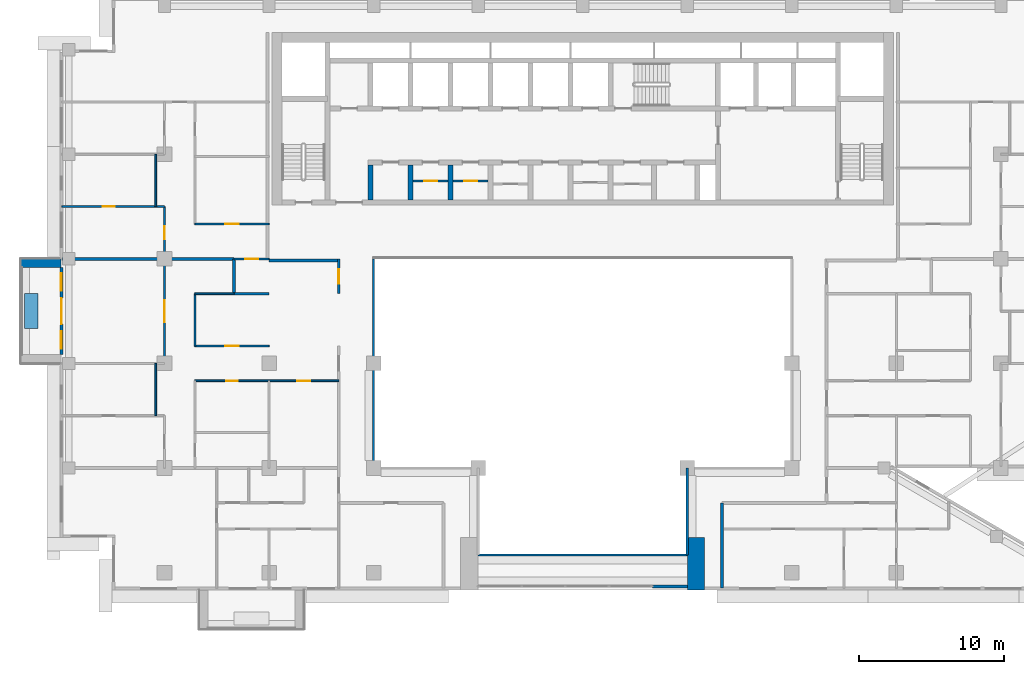
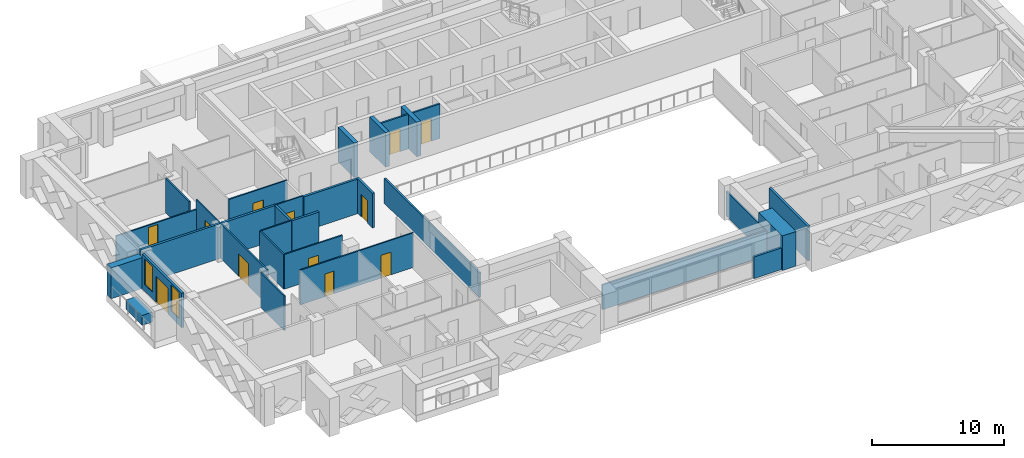
# One storey, part 7 of 20: 29 walls, 12 doors, 2 windows, 14 openings.
"""IFC4 building model written with IfcOpenShell, lengths in metres."""

import ifcopenshell
import ifcopenshell.guid

model = None  # the IFC model being written
_history = None  # IfcOwnerHistory: only IFC2X3 demands one
_inside = {}  # id of a spatial element -> (the spatial element, [elements in it])
_under = {}  # id of a project, library or spatial element -> (it, [spatial elements below it])
_declared = {}  # id of a project -> (the project, [libraries it declares])
_typed = {}  # id of a type object -> (the type object, [elements of that type])
_made_of = {}  # id of a material, layer set ... -> (it, [elements and type objects made of it])


def new_model(schema):
    """Start an empty IFC model of exactly this schema.

    Asked for "IFC4X3", IfcOpenShell would pick the latest addendum, in which some entities
    have other attributes; the version numbers below select the first issue.
    IFC2X3 requires an IfcOwnerHistory on every rooted entity: one is made here for all.
    """
    global model, _history
    if schema == "IFC4X3":
        model = ifcopenshell.file(schema_version=(4, 3, 0, 0))
    else:
        model = ifcopenshell.file(schema=schema)
    _inside.clear()
    _under.clear()
    _declared.clear()
    _typed.clear()
    _made_of.clear()
    _history = None
    if model.schema == "IFC2X3":
        org = make("IfcOrganization", Name="unknown")
        user = make(
            "IfcPersonAndOrganization",
            ThePerson=make("IfcPerson", FamilyName="unknown"),
            TheOrganization=org,
        )
        app = make(
            "IfcApplication",
            ApplicationDeveloper=org,
            Version="unknown",
            ApplicationFullName="unknown",
            ApplicationIdentifier="unknown",
        )
        _history = make(
            "IfcOwnerHistory",
            OwningUser=user,
            OwningApplication=app,
            ChangeAction="ADDED",
            CreationDate=0,
        )
    return model


def make(cls, **values):
    """One entity of the class cls with the attributes given. An attribute that is None is left unset."""
    return model.create_entity(
        cls, **{name: value for name, value in values.items() if value is not None}
    )


def rooted(cls, **values):
    """An entity with a GlobalId (a new one), such as an element, a storey or a relation."""
    return make(cls, GlobalId=ifcopenshell.guid.new(), OwnerHistory=_history, **values)


def si_unit(unit_type, name, prefix=None):
    """IfcSIUnit, for example si_unit("LENGTHUNIT", "METRE", prefix="MILLI")."""
    return make("IfcSIUnit", UnitType=unit_type, Prefix=prefix, Name=name)


def assignment(units):
    """IfcUnitAssignment: the units of a project."""
    return None if units is None else make("IfcUnitAssignment", Units=units)


def point(xyz):
    """IfcCartesianPoint."""
    return None if xyz is None else make("IfcCartesianPoint", Coordinates=xyz)


def direction(xyz):
    """IfcDirection."""
    return None if xyz is None else make("IfcDirection", DirectionRatios=xyz)


def frame(location, z_axis=None, x_axis=None):
    """IfcAxis2Placement3D, a coordinate frame: its origin and axes. An axis left out is left unset."""
    return make(
        "IfcAxis2Placement3D",
        Location=point(location),
        Axis=direction(z_axis),
        RefDirection=direction(x_axis),
    )


def frame_2d(location, x_axis=None):
    """IfcAxis2Placement2D, a coordinate frame in the plane: its origin and x axis."""
    return make(
        "IfcAxis2Placement2D", Location=point(location), RefDirection=direction(x_axis)
    )


def origin():
    """The frame at (0, 0, 0) with its axes left unset."""
    return frame((0.0, 0.0, 0.0))


def place(relative_to, where):
    """IfcLocalPlacement: puts the frame where relative to a parent placement (None: the world)."""
    return make(
        "IfcLocalPlacement", PlacementRelTo=relative_to, RelativePlacement=where
    )


def context(
    kind, dimensions, precision=None, world=None, true_north=None, identifier=None
):
    """IfcGeometricRepresentationContext, for example the 3D "Model" context."""
    return make(
        "IfcGeometricRepresentationContext",
        ContextIdentifier=identifier,
        ContextType=kind,
        CoordinateSpaceDimension=dimensions,
        Precision=precision,
        WorldCoordinateSystem=world,
        TrueNorth=true_north,
    )


def subcontext(parent, identifier, kind, view, scale=None):
    """IfcGeometricRepresentationSubContext, for example "Body" below "Model"."""
    return make(
        "IfcGeometricRepresentationSubContext",
        ContextIdentifier=identifier,
        ContextType=kind,
        ParentContext=parent,
        TargetScale=scale,
        TargetView=view,
    )


def project(units=None, contexts=None):
    """IfcProject with its units and contexts."""
    return rooted(
        "IfcProject",
        Name="project",
        RepresentationContexts=contexts,
        UnitsInContext=assignment(units),
    )


def spatial(cls, under=None, at=None, **own):
    """A site, building, storey or space (cls), placed at a placement, below another one or the project."""
    s = rooted(cls, ObjectPlacement=at, **own)
    if under is not None:
        _under.setdefault(under.id(), (under, []))[1].append(s)
    return s


def profile(cls, at=None, kind="AREA", **sizes):
    """A parametric profile (cls). Its sizes go by their IFC names, for example OverallWidth=200.0."""
    return make(cls, ProfileType=kind, Position=at, **sizes)


def rectangle(**sizes):
    """IfcRectangleProfileDef."""
    return profile("IfcRectangleProfileDef", **sizes)


def extrude(swept, where, along, depth):
    """IfcExtrudedAreaSolid: the profile swept, set in the frame where, extruded along a direction by depth."""
    return make(
        "IfcExtrudedAreaSolid",
        SweptArea=swept,
        Position=where,
        ExtrudedDirection=direction(along),
        Depth=depth,
    )


def shape(context_of_items, identifier, shape_type, items):
    """IfcShapeRepresentation: the items that make up one representation, for example the "Body"."""
    return make(
        "IfcShapeRepresentation",
        ContextOfItems=context_of_items,
        RepresentationIdentifier=identifier,
        RepresentationType=shape_type,
        Items=items,
    )


def material(Name=None, Category=None):
    """IfcMaterial."""
    return make("IfcMaterial", Name=Name, Category=Category)


def layer(
    of_material, thickness, ventilated=None, Name=None, Category=None, Priority=None
):
    """IfcMaterialLayer: one layer of a wall or slab, of a material (None: an air gap)."""
    return make(
        "IfcMaterialLayer",
        Material=of_material,
        LayerThickness=thickness,
        IsVentilated=ventilated,
        Name=Name,
        Category=Category,
        Priority=Priority,
    )


def layer_set(layers, Name=None):
    """IfcMaterialLayerSet."""
    return make("IfcMaterialLayerSet", MaterialLayers=layers, LayerSetName=Name)


def made_of(thing, what):
    """Note that an element or type object is made of a material, layer set ...; save() writes the relation."""
    if what is not None:
        _made_of.setdefault(what.id(), (what, []))[1].append(thing)
    return thing


def type_object(cls, material=None, **own):
    """A type object (cls), such as IfcWallType, which elements share."""
    return made_of(rooted(cls, **own), material)


def element(
    cls,
    number,
    at=None,
    inside=None,
    cuts=None,
    type_object=None,
    material=None,
    context=None,
    identifier="Body",
    shape_type=None,
    held_by="IfcProductDefinitionShape",
    body=None,
    shapes=None,
    **own,
):
    """One element of the class cls, such as IfcWall. Its Tag is "e" and its number.

    at: its placement. inside: the storey or other place that contains it. cuts: it is an
    opening in that element (IfcRelVoidsElement). A single representation is given by context,
    identifier, shape_type and body (its items); several are given by shapes. held_by: the class
    of the entity that holds the representations. save() writes the other relations.
    """
    e = rooted(cls, Tag="e%d" % number, ObjectPlacement=at, **own)
    if body is not None:
        shapes = [shape(context, identifier, shape_type, body)]
    if shapes is not None:
        e.Representation = make(held_by, Representations=shapes)
    if inside is not None:
        _inside.setdefault(inside.id(), (inside, []))[1].append(e)
    if cuts is not None:
        rooted(
            "IfcRelVoidsElement", RelatingBuildingElement=cuts, RelatedOpeningElement=e
        )
    if type_object is not None:
        _typed.setdefault(type_object.id(), (type_object, []))[1].append(e)
    return made_of(e, material)


def fill(opening, filler):
    """IfcRelFillsElement: the door or window that sits in an opening."""
    return rooted(
        "IfcRelFillsElement",
        RelatingOpeningElement=opening,
        RelatedBuildingElement=filler,
    )


def aggregate(whole, parts):
    """IfcRelAggregates: a whole, such as a stair, and the parts it consists of."""
    return rooted("IfcRelAggregates", RelatingObject=whole, RelatedObjects=parts)


def save(model, path):
    """Write the relations noted so far, then the file.

    IfcRelAggregates (storeys below a building ...), IfcRelContainedInSpatialStructure (elements
    in a storey), IfcRelDefinesByType, IfcRelAssociatesMaterial and IfcRelDeclares: one each for
    every whole, place, type object, material and project.
    """
    for whole, parts in _under.values():
        aggregate(whole, parts)
    for where, things in _inside.values():
        rooted(
            "IfcRelContainedInSpatialStructure",
            RelatedElements=things,
            RelatingStructure=where,
        )
    for kind, things in _typed.values():
        rooted("IfcRelDefinesByType", RelatedObjects=things, RelatingType=kind)
    for what, things in _made_of.values():
        rooted("IfcRelAssociatesMaterial", RelatedObjects=things, RelatingMaterial=what)
    for by, libraries in _declared.values():
        rooted("IfcRelDeclares", RelatingContext=by, RelatedDefinitions=libraries)
    model.write(path)


model = new_model("IFC4")

# Units and contexts
model_context = context("Model", 3, precision=1e-05, world=origin(), true_north=direction((0.0, 1.0)))
body_context = subcontext(model_context, "Body", "Model", "MODEL_VIEW")
ifc_project = project(units=[si_unit("LENGTHUNIT", "METRE"), si_unit("AREAUNIT", "SQUARE_METRE"), si_unit("VOLUMEUNIT", "CUBIC_METRE"), si_unit("PLANEANGLEUNIT", "RADIAN"), si_unit("MASSUNIT", "GRAM", prefix="KILO")], contexts=[model_context])

# Site, building, storey
site_placement = place(None, origin())
site = spatial("IfcSite", under=ifc_project, at=site_placement, CompositionType="ELEMENT")
building_placement = place(site_placement, origin())
building = spatial("IfcBuilding", under=site, at=building_placement, Name="Saffron Iwan Residences", CompositionType="ELEMENT")
storey_placement = place(building_placement, frame((0.0, 0.0, 164.0)))
storey = spatial("IfcBuildingStorey", under=building, at=storey_placement, Name="L43", CompositionType="ELEMENT", Elevation=164.0)

# Walls
ifc_material_1 = material(Name="Fire-rated glazing", Category="glass")
ifc_layer_1 = layer(ifc_material_1, 0.14990234375)
ifc_layer_set_1 = layer_set([ifc_layer_1], Name="Fire-rated glazing")
wall_type_1 = type_object("IfcWallType", Name="Atrium glazed screen 150", PredefinedType="SOLIDWALL", material=ifc_layer_set_1)
wall_1_placement = place(storey_placement, frame((43.199951171875, 42.0, 0.0), z_axis=(0.0, 0.0, 1.0), x_axis=(1.0, 0.0, 0.0)))
element("IfcWall", 1, at=wall_1_placement, inside=storey, type_object=wall_type_1, Name="W-L43-SCREEN-h42-43.2", PredefinedType="SOLIDWALL", context=body_context, shape_type="SweptSolid", body=[
    extrude(rectangle(XDim=14.400146484375, YDim=0.14990234375, at=frame_2d((7.2001953125, 0.0))), origin(), (0.0, 0.0, 1.0), 2.300048828125),
])
wall_2_placement = place(storey_placement, frame((36.0, 48.0, 0.0), z_axis=(0.0, 0.0, 1.0), x_axis=(0.0, 1.0, 0.0)))
element("IfcWall", 2, at=wall_2_placement, inside=storey, type_object=wall_type_1, Name="W-L43-SCREEN-v36-48", PredefinedType="SOLIDWALL", context=body_context, shape_type="SweptSolid", body=[
    extrude(rectangle(XDim=14.39990234375, YDim=0.14990234375, at=frame_2d((7.199951171875, 0.0))), origin(), (0.0, 0.0, 1.0), 2.300048828125),
])
wall_3_placement = place(storey_placement, frame((57.60009765625, 42.0, 0.0), z_axis=(0.0, 0.0, 1.0), x_axis=(0.0, 1.0, 0.0)))
element("IfcWall", 3, at=wall_3_placement, inside=storey, type_object=wall_type_1, Name="W-L43-SCREEN-v57.6-42", PredefinedType="SOLIDWALL", context=body_context, shape_type="SweptSolid", body=[
    extrude(rectangle(XDim=6.0, YDim=0.14990234375, at=frame_2d((3.0, 0.0))), origin(), (0.0, 0.0, 1.0), 2.300048828125),
])
ifc_material_2 = material(Name="Concrete C50/60 white painted", Category="concrete")
ifc_layer_2 = layer(ifc_material_2, 0.60009765625)
ifc_layer_set_2 = layer_set([ifc_layer_2], Name="Concrete C50/60 white painted")
wall_type_2 = type_object("IfcWallType", Name="BALCONY FIN 600", PredefinedType="SOLIDWALL", material=ifc_layer_set_2)
wall_4_placement = place(storey_placement, frame((14.47509765625, 62.10009765625, 0.0), z_axis=(0.0, 0.0, 1.0), x_axis=(-1.0, 0.0, 0.0)))
element("IfcWall", 4, at=wall_4_placement, inside=storey, type_object=wall_type_2, Name="Balcony fin L43 F8-0a", PredefinedType="SOLIDWALL", context=body_context, shape_type="SweptSolid", body=[
    extrude(rectangle(XDim=2.775146484375, YDim=0.60009765625, at=frame_2d((1.3876953125, 0.0))), origin(), (0.0, 0.0, 1.0), 2.85009765625),
])
ifc_material_3 = material(Name="Concrete C35/45 white painted", Category="concrete")
ifc_layer_3 = layer(ifc_material_3, 0.14990234375)
ifc_layer_set_3 = layer_set([ifc_layer_3], Name="Concrete C35/45 white painted")
wall_type_3 = type_object("IfcWallType", Name="BALCONY PLANTER", PredefinedType="SOLIDWALL", material=ifc_layer_set_3)
wall_5_placement = place(storey_placement, frame((12.425048828125, 60.0, 0.0), z_axis=(0.0, 0.0, 1.0), x_axis=(0.0, -1.0, 0.0)))
element("IfcWall", 5, at=wall_5_placement, inside=storey, type_object=wall_type_3, Name="PLANTER L43 F8-0", PredefinedType="SOLIDWALL", context=body_context, shape_type="SweptSolid", body=[
    extrude(rectangle(XDim=2.39990234375, YDim=0.89990234375, at=frame_2d((1.199951171875, 0.0))), origin(), (0.0, 0.0, 1.0), 0.89990234375),
])

# Wall, opening, door
ifc_material_4 = material(Name="Fire-rated plasterboard partition")
ifc_layer_4 = layer(ifc_material_4, 0.14990234375)
ifc_layer_set_4 = layer_set([ifc_layer_4], Name="Fire-rated plasterboard partition")
wall_type_4 = type_object("IfcWallType", Name="Core partition 150", PredefinedType="PARTITIONING", material=ifc_layer_set_4)
wall_6_placement = place(storey_placement, frame((38.72509765625, 67.759521484375, 0.0), z_axis=(0.0, 0.0, 1.0), x_axis=(1.0, 0.0, 0.0)))
wall_6 = element("IfcWall", 6, at=wall_6_placement, inside=storey, type_object=wall_type_4, Name="Core partition P01", PredefinedType="PARTITIONING", context=body_context, shape_type="SweptSolid", body=[
    extrude(rectangle(XDim=2.39990234375, YDim=0.14990234375, at=frame_2d((1.199951171875, 0.0))), origin(), (0.0, 0.0, 1.0), 3.199951171875),
])
opening_1_placement = place(wall_6_placement, frame((0.75, 0.0, 0.0)))
opening_1 = element("IfcOpeningElement", 7, at=opening_1_placement, cuts=wall_6, Name="Opening SB", PredefinedType="OPENING", context=body_context, shape_type="SweptSolid", body=[
    extrude(rectangle(XDim=0.89990234375, YDim=2.10009765625, at=frame_2d((0.449951171875, 1.050048828125))), frame((0.0, 0.0849609375, 0.0), z_axis=(0.0, -1.0, 0.0), x_axis=(1.0, 0.0, 0.0)), (0.0, 0.0, 1.0), 0.169921875),
])
ifc_material_5 = material(Name="Steel fire door", Category="steel")
door_type_1 = type_object("IfcDoorType", Name="Store door 900", OperationType="NOTDEFINED", PredefinedType="DOOR", material=ifc_material_5)
door_1_placement = place(opening_1_placement, origin())
door_1 = element("IfcDoor", 8, at=door_1_placement, inside=storey, type_object=door_type_1, Name="Door Equipment store", OperationType="SINGLE_SWING_RIGHT", OverallHeight=2.10009765625, OverallWidth=0.89990234375, PredefinedType="DOOR", context=body_context, shape_type="SweptSolid", body=[
    extrude(rectangle(XDim=0.89990234375, YDim=2.10009765625, at=frame_2d((0.449951171875, 1.050048828125))), frame((0.0, 0.02490234375, 0.0), z_axis=(0.0, -1.0, 0.0), x_axis=(1.0, 0.0, 0.0)), (0.0, 0.0, 1.0), 0.050048828125),
])
fill(opening_1, door_1)

wall_7_placement = place(storey_placement, frame((41.47509765625, 67.759521484375, 0.0), z_axis=(0.0, 0.0, 1.0), x_axis=(1.0, 0.0, 0.0)))
wall_7 = element("IfcWall", 9, at=wall_7_placement, inside=storey, type_object=wall_type_4, Name="Core partition P02", PredefinedType="PARTITIONING", context=body_context, shape_type="SweptSolid", body=[
    extrude(rectangle(XDim=2.39990234375, YDim=0.14990234375, at=frame_2d((1.199951171875, 0.0))), origin(), (0.0, 0.0, 1.0), 3.199951171875),
])
opening_2_placement = place(wall_7_placement, frame((0.75, 0.0, 0.0)))
opening_2 = element("IfcOpeningElement", 10, at=opening_2_placement, cuts=wall_7, Name="Opening SB", PredefinedType="OPENING", context=body_context, shape_type="SweptSolid", body=[
    extrude(rectangle(XDim=0.89990234375, YDim=2.10009765625, at=frame_2d((0.449951171875, 1.050048828125))), frame((0.0, 0.0849609375, 0.0), z_axis=(0.0, -1.0, 0.0), x_axis=(1.0, 0.0, 0.0)), (0.0, 0.0, 1.0), 0.169921875),
])
door_2_placement = place(opening_2_placement, origin())
door_2 = element("IfcDoor", 11, at=door_2_placement, inside=storey, type_object=door_type_1, Name="Door Mop store", OperationType="SINGLE_SWING_LEFT", OverallHeight=2.10009765625, OverallWidth=0.89990234375, PredefinedType="DOOR", context=body_context, shape_type="SweptSolid", body=[
    extrude(rectangle(XDim=0.89990234375, YDim=2.10009765625, at=frame_2d((0.449951171875, 1.050048828125))), frame((0.0, 0.02490234375, 0.0), z_axis=(0.0, -1.0, 0.0), x_axis=(1.0, 0.0, 0.0)), (0.0, 0.0, 1.0), 0.050048828125),
])
fill(opening_2, door_2)

# Wall, openings, door, windows
ifc_material_6 = material(Name="Concrete C40/50", Category="concrete")
ifc_layer_5 = layer(ifc_material_6, 0.199951171875)
ifc_layer_set_5 = layer_set([ifc_layer_5], Name="Concrete C40/50")
wall_type_5 = type_object("IfcWallType", Name="EXTERNAL WALL 200", PredefinedType="SOLIDWALL", material=ifc_layer_set_5)
wall_8_placement = place(storey_placement, frame((14.5, 61.800048828125, 0.0), z_axis=(0.0, 0.0, 1.0), x_axis=(0.0, -1.0, 0.0)))
wall_8 = element("IfcWall", 12, at=wall_8_placement, inside=storey, type_object=wall_type_5, Name="External wall L43 F8.1", PredefinedType="SOLIDWALL", context=body_context, shape_type="SweptSolid", body=[
    extrude(rectangle(XDim=6.0, YDim=0.199951171875, at=frame_2d((3.0, 0.0))), origin(), (0.0, 0.0, 1.0), 3.199951171875),
])
opening_3_placement = place(wall_8_placement, frame((2.10009765625, 0.0, 0.0)))
opening_3 = element("IfcOpeningElement", 13, at=opening_3_placement, cuts=wall_8, Name="Opening BD1", PredefinedType="OPENING", context=body_context, shape_type="SweptSolid", body=[
    extrude(rectangle(XDim=1.800048828125, YDim=2.39990234375, at=frame_2d((0.89990234375, 1.199951171875))), frame((0.0, 0.10986328125, 0.0), z_axis=(0.0, -1.0, 0.0), x_axis=(1.0, 0.0, 0.0)), (0.0, 0.0, 1.0), 0.219970703125),
])
opening_4_placement = place(wall_8_placement, frame((0.39990234375, 0.0, 0.60009765625)))
opening_4 = element("IfcOpeningElement", 14, at=opening_4_placement, cuts=wall_8, Name="Opening W3", PredefinedType="OPENING", context=body_context, shape_type="SweptSolid", body=[
    extrude(rectangle(XDim=1.199951171875, YDim=2.39990234375, at=frame_2d((0.60009765625, 1.199951171875))), frame((0.0, 0.10986328125, 0.0), z_axis=(0.0, -1.0, 0.0), x_axis=(1.0, 0.0, 0.0)), (0.0, 0.0, 1.0), 0.219970703125),
])
opening_5_placement = place(wall_8_placement, frame((4.39990234375, 0.0, 0.60009765625)))
opening_5 = element("IfcOpeningElement", 15, at=opening_5_placement, cuts=wall_8, Name="Opening W3", PredefinedType="OPENING", context=body_context, shape_type="SweptSolid", body=[
    extrude(rectangle(XDim=1.199951171875, YDim=2.39990234375, at=frame_2d((0.60009765625, 1.199951171875))), frame((0.0, 0.10986328125, 0.0), z_axis=(0.0, -1.0, 0.0), x_axis=(1.0, 0.0, 0.0)), (0.0, 0.0, 1.0), 0.219970703125),
])
ifc_material_7 = material(Name="Clear glass, laminated double glazed", Category="glass")
door_type_2 = type_object("IfcDoorType", Name="BALCONY DOOR 1800 x 2400", OperationType="DOUBLE_DOOR_SLIDING", PredefinedType="DOOR", material=ifc_material_7)
door_3_placement = place(opening_3_placement, origin())
door_3 = element("IfcDoor", 16, at=door_3_placement, inside=storey, type_object=door_type_2, Name="Balcony door L43 F8.0", OperationType="DOUBLE_DOOR_SLIDING", OverallHeight=2.39990234375, OverallWidth=1.800048828125, PredefinedType="DOOR", context=body_context, shape_type="SweptSolid", body=[
    extrude(rectangle(XDim=1.800048828125, YDim=2.39990234375, at=frame_2d((0.89990234375, 1.199951171875))), frame((0.0, 0.02490234375, 0.0), z_axis=(0.0, -1.0, 0.0), x_axis=(1.0, 0.0, 0.0)), (0.0, 0.0, 1.0), 0.050048828125),
])
fill(opening_3, door_3)
window_type = type_object("IfcWindowType", Name="WINDOW 1200 x 2400", PartitioningType="SINGLE_PANEL", PredefinedType="WINDOW", material=ifc_material_7)
window_1_placement = place(opening_4_placement, origin())
window_1 = element("IfcWindow", 17, at=window_1_placement, inside=storey, type_object=window_type, Name="Window L43 F8.1", OverallHeight=2.39990234375, OverallWidth=1.199951171875, PartitioningType="SINGLE_PANEL", PredefinedType="WINDOW", context=body_context, shape_type="SweptSolid", body=[
    extrude(rectangle(XDim=1.199951171875, YDim=2.39990234375, at=frame_2d((0.60009765625, 1.199951171875))), frame((0.0, 0.030029296875, 0.0), z_axis=(0.0, -1.0, 0.0), x_axis=(1.0, 0.0, 0.0)), (0.0, 0.0, 1.0), 0.06005859375),
])
fill(opening_4, window_1)
window_2_placement = place(opening_5_placement, origin())
window_2 = element("IfcWindow", 18, at=window_2_placement, inside=storey, type_object=window_type, Name="Window L43 F8.2", OverallHeight=2.39990234375, OverallWidth=1.199951171875, PartitioningType="SINGLE_PANEL", PredefinedType="WINDOW", context=body_context, shape_type="SweptSolid", body=[
    extrude(rectangle(XDim=1.199951171875, YDim=2.39990234375, at=frame_2d((0.60009765625, 1.199951171875))), frame((0.0, 0.030029296875, 0.0), z_axis=(0.0, -1.0, 0.0), x_axis=(1.0, 0.0, 0.0)), (0.0, 0.0, 1.0), 0.06005859375),
])
fill(opening_5, window_2)

# Walls
wall_9_placement = place(storey_placement, frame((55.199951171875, 39.85009765625, 0.0), z_axis=(0.0, 0.0, 1.0), x_axis=(1.0, 0.0, 0.0)))
element("IfcWall", 19, at=wall_9_placement, inside=storey, type_object=wall_type_5, Name="External wall infill CWB-L43-0", PredefinedType="SOLIDWALL", context=body_context, shape_type="SweptSolid", body=[
    extrude(rectangle(XDim=2.400146484375, YDim=0.199951171875, at=frame_2d((1.2001953125, 0.0))), origin(), (0.0, 0.0, 1.0), 2.0),
])
ifc_material_8 = material(Name="Fire-rated gypsum board wall")
ifc_layer_6 = layer(ifc_material_8, 0.199951171875)
ifc_layer_set_6 = layer_set([ifc_layer_6], Name="Fire-rated gypsum board wall")
wall_type_6 = type_object("IfcWallType", Name="Flat demising wall 200", PredefinedType="SOLIDWALL", material=ifc_layer_set_6)
wall_10_placement = place(storey_placement, frame((26.39990234375, 60.0, 0.0), z_axis=(0.0, 0.0, 1.0), x_axis=(1.0, 0.0, 0.0)))
element("IfcWall", 20, at=wall_10_placement, inside=storey, type_object=wall_type_6, Name="W-L43-DEMISE-h60-26.4", PredefinedType="SOLIDWALL", context=body_context, shape_type="SweptSolid", body=[
    extrude(rectangle(XDim=2.400146484375, YDim=0.199951171875, at=frame_2d((1.2001953125, 0.0))), origin(), (0.0, 0.0, 1.0), 3.199951171875),
])
wall_11_placement = place(storey_placement, frame((14.52490234375, 62.39990234375, 0.0), z_axis=(0.0, 0.0, 1.0), x_axis=(1.0, 0.0, 0.0)))
element("IfcWall", 21, at=wall_11_placement, inside=storey, type_object=wall_type_6, Name="W-L43-DEMISE-h62.4-14.525", PredefinedType="SOLIDWALL", context=body_context, shape_type="SweptSolid", body=[
    extrude(rectangle(XDim=11.875, YDim=0.199951171875, at=frame_2d((5.9375, 0.0))), origin(), (0.0, 0.0, 1.0), 3.199951171875),
])
wall_12_placement = place(storey_placement, frame((26.39990234375, 60.0, 0.0), z_axis=(0.0, 0.0, 1.0), x_axis=(0.0, 1.0, 0.0)))
element("IfcWall", 22, at=wall_12_placement, inside=storey, type_object=wall_type_6, Name="W-L43-DEMISE-v26.4-60", PredefinedType="SOLIDWALL", context=body_context, shape_type="SweptSolid", body=[
    extrude(rectangle(XDim=2.39990234375, YDim=0.199951171875, at=frame_2d((1.199951171875, 0.0))), origin(), (0.0, 0.0, 1.0), 3.199951171875),
])

# Wall, openings, doors
ifc_material_9 = material(Name="Gypsum board partition")
ifc_layer_7 = layer(ifc_material_9, 0.1201171875)
ifc_layer_set_7 = layer_set([ifc_layer_7], Name="Gypsum board partition")
wall_type_7 = type_object("IfcWallType", Name="Flat partition 120", PredefinedType="PARTITIONING", material=ifc_layer_set_7)
wall_13_placement = place(storey_placement, frame((23.699951171875, 54.0, 0.0), z_axis=(0.0, 0.0, 1.0), x_axis=(1.0, 0.0, 0.0)))
wall_13 = element("IfcWall", 23, at=wall_13_placement, inside=storey, type_object=wall_type_7, Name="W-L43-PART-h54-23.7", PredefinedType="PARTITIONING", context=body_context, shape_type="SweptSolid", body=[
    extrude(rectangle(XDim=9.900146484375, YDim=0.1201171875, at=frame_2d((4.9501953125, 0.0))), origin(), (0.0, 0.0, 1.0), 3.199951171875),
])
opening_6_placement = place(wall_13_placement, frame((2.14990234375, 0.0, 0.0)))
opening_6 = element("IfcOpeningElement", 24, at=opening_6_placement, cuts=wall_13, Name="Opening FD3", PredefinedType="OPENING", context=body_context, shape_type="SweptSolid", body=[
    extrude(rectangle(XDim=0.800048828125, YDim=2.10009765625, at=frame_2d((0.39990234375, 1.050048828125))), frame((0.0, 0.070068359375, 0.0), z_axis=(0.0, -1.0, 0.0), x_axis=(1.0, 0.0, 0.0)), (0.0, 0.0, 1.0), 0.14013671875),
])
opening_7_placement = place(wall_13_placement, frame((7.050048828125, 0.0, 0.0)))
opening_7 = element("IfcOpeningElement", 25, at=opening_7_placement, cuts=wall_13, Name="Opening FD2", PredefinedType="OPENING", context=body_context, shape_type="SweptSolid", body=[
    extrude(rectangle(XDim=0.89990234375, YDim=2.10009765625, at=frame_2d((0.449951171875, 1.050048828125))), frame((0.0, 0.070068359375, 0.0), z_axis=(0.0, -1.0, 0.0), x_axis=(1.0, 0.0, 0.0)), (0.0, 0.0, 1.0), 0.14013671875),
])
ifc_material_10 = material(Name="Timber door", Category="wood")
door_type_3 = type_object("IfcDoorType", Name="Bathroom door 800", OperationType="NOTDEFINED", PredefinedType="DOOR", material=ifc_material_10)
door_4_placement = place(opening_6_placement, origin())
door_4 = element("IfcDoor", 26, at=door_4_placement, inside=storey, type_object=door_type_3, Name="Door L43-013", OperationType="SINGLE_SWING_LEFT", OverallHeight=2.10009765625, OverallWidth=0.800048828125, PredefinedType="DOOR", context=body_context, shape_type="SweptSolid", body=[
    extrude(rectangle(XDim=0.800048828125, YDim=2.10009765625, at=frame_2d((0.39990234375, 1.050048828125))), frame((0.0, 0.02490234375, 0.0), z_axis=(0.0, -1.0, 0.0), x_axis=(1.0, 0.0, 0.0)), (0.0, 0.0, 1.0), 0.050048828125),
])
fill(opening_6, door_4)
door_type_4 = type_object("IfcDoorType", Name="Flat door 900", OperationType="NOTDEFINED", PredefinedType="DOOR", material=ifc_material_10)
door_5_placement = place(opening_7_placement, origin())
door_5 = element("IfcDoor", 27, at=door_5_placement, inside=storey, type_object=door_type_4, Name="Door L43-015", OperationType="SINGLE_SWING_RIGHT", OverallHeight=2.10009765625, OverallWidth=0.89990234375, PredefinedType="DOOR", context=body_context, shape_type="SweptSolid", body=[
    extrude(rectangle(XDim=0.89990234375, YDim=2.10009765625, at=frame_2d((0.449951171875, 1.050048828125))), frame((0.0, 0.02490234375, 0.0), z_axis=(0.0, -1.0, 0.0), x_axis=(1.0, 0.0, 0.0)), (0.0, 0.0, 1.0), 0.050048828125),
])
fill(opening_7, door_5)

# Wall, opening, door
wall_14_placement = place(storey_placement, frame((23.699951171875, 56.39990234375, 0.0), z_axis=(0.0, 0.0, 1.0), x_axis=(1.0, 0.0, 0.0)))
wall_14 = element("IfcWall", 28, at=wall_14_placement, inside=storey, type_object=wall_type_7, Name="W-L43-PART-h56.4-23.7", PredefinedType="PARTITIONING", context=body_context, shape_type="SweptSolid", body=[
    extrude(rectangle(XDim=5.10009765625, YDim=0.1201171875, at=frame_2d((2.550048828125, 0.0))), origin(), (0.0, 0.0, 1.0), 3.199951171875),
])
opening_8_placement = place(wall_14_placement, frame((2.10009765625, 0.0, 0.0)))
opening_8 = element("IfcOpeningElement", 29, at=opening_8_placement, cuts=wall_14, Name="Opening FD2", PredefinedType="OPENING", context=body_context, shape_type="SweptSolid", body=[
    extrude(rectangle(XDim=0.89990234375, YDim=2.10009765625, at=frame_2d((0.449951171875, 1.050048828125))), frame((0.0, 0.070068359375, 0.0), z_axis=(0.0, -1.0, 0.0), x_axis=(1.0, 0.0, 0.0)), (0.0, 0.0, 1.0), 0.14013671875),
])
door_6_placement = place(opening_8_placement, origin())
door_6 = element("IfcDoor", 30, at=door_6_placement, inside=storey, type_object=door_type_4, Name="Door L43-014", OperationType="SINGLE_SWING_LEFT", OverallHeight=2.10009765625, OverallWidth=0.89990234375, PredefinedType="DOOR", context=body_context, shape_type="SweptSolid", body=[
    extrude(rectangle(XDim=0.89990234375, YDim=2.10009765625, at=frame_2d((0.449951171875, 1.050048828125))), frame((0.0, 0.02490234375, 0.0), z_axis=(0.0, -1.0, 0.0), x_axis=(1.0, 0.0, 0.0)), (0.0, 0.0, 1.0), 0.050048828125),
])
fill(opening_8, door_6)

# Wall
wall_15_placement = place(storey_placement, frame((23.699951171875, 60.0, 0.0), z_axis=(0.0, 0.0, 1.0), x_axis=(1.0, 0.0, 0.0)))
element("IfcWall", 31, at=wall_15_placement, inside=storey, type_object=wall_type_7, Name="W-L43-PART-h60-23.7", PredefinedType="PARTITIONING", context=body_context, shape_type="SweptSolid", body=[
    extrude(rectangle(XDim=2.699951171875, YDim=0.1201171875, at=frame_2d((1.35009765625, 0.0))), origin(), (0.0, 0.0, 1.0), 3.199951171875),
])

# Wall, opening, door
wall_16_placement = place(storey_placement, frame((26.39990234375, 62.39990234375, 0.0), z_axis=(0.0, 0.0, 1.0), x_axis=(1.0, 0.0, 0.0)))
wall_16 = element("IfcWall", 32, at=wall_16_placement, inside=storey, type_object=wall_type_7, Name="W-L43-PART-h62.4-26.4", PredefinedType="PARTITIONING", context=body_context, shape_type="SweptSolid", body=[
    extrude(rectangle(XDim=2.400146484375, YDim=0.1201171875, at=frame_2d((1.2001953125, 0.0))), origin(), (0.0, 0.0, 1.0), 3.199951171875),
])
opening_9_placement = place(wall_16_placement, frame((0.75, 0.0, 0.0)))
opening_9 = element("IfcOpeningElement", 33, at=opening_9_placement, cuts=wall_16, Name="Opening FD2", PredefinedType="OPENING", context=body_context, shape_type="SweptSolid", body=[
    extrude(rectangle(XDim=0.89990234375, YDim=2.10009765625, at=frame_2d((0.449951171875, 1.050048828125))), frame((0.0, 0.070068359375, 0.0), z_axis=(0.0, -1.0, 0.0), x_axis=(1.0, 0.0, 0.0)), (0.0, 0.0, 1.0), 0.14013671875),
])
door_7_placement = place(opening_9_placement, origin())
door_7 = element("IfcDoor", 34, at=door_7_placement, inside=storey, type_object=door_type_4, Name="Door L43-025", OperationType="SINGLE_SWING_LEFT", OverallHeight=2.10009765625, OverallWidth=0.89990234375, PredefinedType="DOOR", context=body_context, shape_type="SweptSolid", body=[
    extrude(rectangle(XDim=0.89990234375, YDim=2.10009765625, at=frame_2d((0.449951171875, 1.050048828125))), frame((0.0, 0.02490234375, 0.0), z_axis=(0.0, -1.0, 0.0), x_axis=(1.0, 0.0, 0.0)), (0.0, 0.0, 1.0), 0.050048828125),
])
fill(opening_9, door_7)

wall_17_placement = place(storey_placement, frame((23.699951171875, 64.800048828125, 0.0), z_axis=(0.0, 0.0, 1.0), x_axis=(1.0, 0.0, 0.0)))
wall_17 = element("IfcWall", 35, at=wall_17_placement, inside=storey, type_object=wall_type_7, Name="W-L43-PART-h64.8-23.7", PredefinedType="PARTITIONING", context=body_context, shape_type="SweptSolid", body=[
    extrude(rectangle(XDim=5.10009765625, YDim=0.1201171875, at=frame_2d((2.550048828125, 0.0))), origin(), (0.0, 0.0, 1.0), 3.199951171875),
])
opening_10_placement = place(wall_17_placement, frame((2.10009765625, 0.0, 0.0)))
opening_10 = element("IfcOpeningElement", 36, at=opening_10_placement, cuts=wall_17, Name="Opening FD2", PredefinedType="OPENING", context=body_context, shape_type="SweptSolid", body=[
    extrude(rectangle(XDim=0.89990234375, YDim=2.10009765625, at=frame_2d((0.449951171875, 1.050048828125))), frame((0.0, 0.070068359375, 0.0), z_axis=(0.0, -1.0, 0.0), x_axis=(1.0, 0.0, 0.0)), (0.0, 0.0, 1.0), 0.14013671875),
])
door_8_placement = place(opening_10_placement, origin())
door_8 = element("IfcDoor", 37, at=door_8_placement, inside=storey, type_object=door_type_4, Name="Door L43-031", OperationType="SINGLE_SWING_LEFT", OverallHeight=2.10009765625, OverallWidth=0.89990234375, PredefinedType="DOOR", context=body_context, shape_type="SweptSolid", body=[
    extrude(rectangle(XDim=0.89990234375, YDim=2.10009765625, at=frame_2d((0.449951171875, 1.050048828125))), frame((0.0, 0.02490234375, 0.0), z_axis=(0.0, -1.0, 0.0), x_axis=(1.0, 0.0, 0.0)), (0.0, 0.0, 1.0), 0.050048828125),
])
fill(opening_10, door_8)

wall_18_placement = place(storey_placement, frame((14.52490234375, 66.0, 0.0), z_axis=(0.0, 0.0, 1.0), x_axis=(1.0, 0.0, 0.0)))
wall_18 = element("IfcWall", 38, at=wall_18_placement, inside=storey, type_object=wall_type_7, Name="W-L43-PART-h66-14.525", PredefinedType="PARTITIONING", context=body_context, shape_type="SweptSolid", body=[
    extrude(rectangle(XDim=7.0751953125, YDim=0.1201171875, at=frame_2d((3.53759765625, 0.0))), origin(), (0.0, 0.0, 1.0), 2.300048828125),
])
opening_11_placement = place(wall_18_placement, frame((2.83740234375, 0.0, 0.0)))
opening_11 = element("IfcOpeningElement", 39, at=opening_11_placement, cuts=wall_18, Name="Opening FD3", PredefinedType="OPENING", context=body_context, shape_type="SweptSolid", body=[
    extrude(rectangle(XDim=0.800048828125, YDim=2.10009765625, at=frame_2d((0.39990234375, 1.050048828125))), frame((0.0, 0.070068359375, 0.0), z_axis=(0.0, -1.0, 0.0), x_axis=(1.0, 0.0, 0.0)), (0.0, 0.0, 1.0), 0.14013671875),
])
door_9_placement = place(opening_11_placement, origin())
door_9 = element("IfcDoor", 40, at=door_9_placement, inside=storey, type_object=door_type_3, Name="Door L43-028", OperationType="SINGLE_SWING_LEFT", OverallHeight=2.10009765625, OverallWidth=0.800048828125, PredefinedType="DOOR", context=body_context, shape_type="SweptSolid", body=[
    extrude(rectangle(XDim=0.800048828125, YDim=2.10009765625, at=frame_2d((0.39990234375, 1.050048828125))), frame((0.0, 0.02490234375, 0.0), z_axis=(0.0, -1.0, 0.0), x_axis=(1.0, 0.0, 0.0)), (0.0, 0.0, 1.0), 0.050048828125),
])
fill(opening_11, door_9)

# Walls
wall_19_placement = place(storey_placement, frame((21.0, 51.60009765625, 0.0), z_axis=(0.0, 0.0, 1.0), x_axis=(0.0, 1.0, 0.0)))
element("IfcWall", 41, at=wall_19_placement, inside=storey, type_object=wall_type_7, Name="W-L43-PART-v21-51.6", PredefinedType="PARTITIONING", context=body_context, shape_type="SweptSolid", body=[
    extrude(rectangle(XDim=3.599853515625, YDim=0.1201171875, at=frame_2d((1.7998046875, 0.0))), origin(), (0.0, 0.0, 1.0), 3.199951171875),
])
wall_20_placement = place(storey_placement, frame((21.0, 66.0, 0.0), z_axis=(0.0, 0.0, 1.0), x_axis=(0.0, 1.0, 0.0)))
element("IfcWall", 42, at=wall_20_placement, inside=storey, type_object=wall_type_7, Name="W-L43-PART-v21-66", PredefinedType="PARTITIONING", context=body_context, shape_type="SweptSolid", body=[
    extrude(rectangle(XDim=3.60009765625, YDim=0.1201171875, at=frame_2d((1.800048828125, 0.0))), origin(), (0.0, 0.0, 1.0), 3.199951171875),
])

# Wall, openings, doors
wall_21_placement = place(storey_placement, frame((21.60009765625, 55.199951171875, 0.0), z_axis=(0.0, 0.0, 1.0), x_axis=(0.0, 1.0, 0.0)))
wall_21 = element("IfcWall", 43, at=wall_21_placement, inside=storey, type_object=wall_type_7, Name="W-L43-PART-v21.6-55.2", PredefinedType="PARTITIONING", context=body_context, shape_type="SweptSolid", body=[
    extrude(rectangle(XDim=10.800048828125, YDim=0.1201171875, at=frame_2d((5.39990234375, 0.0))), origin(), (0.0, 0.0, 1.0), 3.199951171875),
])
opening_12_placement = place(wall_21_placement, frame((2.85009765625, 0.0, 0.0)))
opening_12 = element("IfcOpeningElement", 44, at=opening_12_placement, cuts=wall_21, Name="Opening FD4", PredefinedType="OPENING", context=body_context, shape_type="SweptSolid", body=[
    extrude(rectangle(XDim=1.5, YDim=2.10009765625, at=frame_2d((0.75, 1.050048828125))), frame((0.0, 0.070068359375, 0.0), z_axis=(0.0, -1.0, 0.0), x_axis=(1.0, 0.0, 0.0)), (0.0, 0.0, 1.0), 0.14013671875),
])
opening_13_placement = place(wall_21_placement, frame((8.550048828125, 0.0, 0.0)))
opening_13 = element("IfcOpeningElement", 45, at=opening_13_placement, cuts=wall_21, Name="Opening FD2", PredefinedType="OPENING", context=body_context, shape_type="SweptSolid", body=[
    extrude(rectangle(XDim=0.89990234375, YDim=2.10009765625, at=frame_2d((0.449951171875, 1.050048828125))), frame((0.0, 0.070068359375, 0.0), z_axis=(0.0, -1.0, 0.0), x_axis=(1.0, 0.0, 0.0)), (0.0, 0.0, 1.0), 0.14013671875),
])
door_type_5 = type_object("IfcDoorType", Name="Double door 1500", OperationType="NOTDEFINED", PredefinedType="DOOR", material=ifc_material_10)
door_10_placement = place(opening_12_placement, origin())
door_10 = element("IfcDoor", 46, at=door_10_placement, inside=storey, type_object=door_type_5, Name="Door L43-011", OperationType="SINGLE_SWING_LEFT", OverallHeight=2.10009765625, OverallWidth=1.5, PredefinedType="DOOR", context=body_context, shape_type="SweptSolid", body=[
    extrude(rectangle(XDim=1.5, YDim=2.10009765625, at=frame_2d((0.75, 1.050048828125))), frame((0.0, 0.02490234375, 0.0), z_axis=(0.0, -1.0, 0.0), x_axis=(1.0, 0.0, 0.0)), (0.0, 0.0, 1.0), 0.050048828125),
])
fill(opening_12, door_10)
door_11_placement = place(opening_13_placement, origin())
door_11 = element("IfcDoor", 47, at=door_11_placement, inside=storey, type_object=door_type_4, Name="Door L43-027", OperationType="SINGLE_SWING_RIGHT", OverallHeight=2.10009765625, OverallWidth=0.89990234375, PredefinedType="DOOR", context=body_context, shape_type="SweptSolid", body=[
    extrude(rectangle(XDim=0.89990234375, YDim=2.10009765625, at=frame_2d((0.449951171875, 1.050048828125))), frame((0.0, 0.02490234375, 0.0), z_axis=(0.0, -1.0, 0.0), x_axis=(1.0, 0.0, 0.0)), (0.0, 0.0, 1.0), 0.050048828125),
])
fill(opening_13, door_11)

# Walls
wall_22_placement = place(storey_placement, frame((23.699951171875, 56.39990234375, 0.0), z_axis=(0.0, 0.0, 1.0), x_axis=(0.0, 1.0, 0.0)))
element("IfcWall", 48, at=wall_22_placement, inside=storey, type_object=wall_type_7, Name="W-L43-PART-v23.7-56.4", PredefinedType="PARTITIONING", context=body_context, shape_type="SweptSolid", body=[
    extrude(rectangle(XDim=3.60009765625, YDim=0.1201171875, at=frame_2d((1.800048828125, 0.0))), origin(), (0.0, 0.0, 1.0), 3.199951171875),
])
ifc_layer_8 = layer(ifc_material_8, 0.199951171875)
ifc_layer_set_8 = layer_set([ifc_layer_8], Name="Fire-rated gypsum board wall")
wall_type_8 = type_object("IfcWallType", Name="Gallery wall 200", PredefinedType="SOLIDWALL", material=ifc_layer_set_8)
wall_23_placement = place(storey_placement, frame((28.800048828125, 62.300048828125, 0.0), z_axis=(0.0, 0.0, 1.0), x_axis=(1.0, 0.0, 0.0)))
element("IfcWall", 49, at=wall_23_placement, inside=storey, type_object=wall_type_8, Name="W-L43-CORR-h62.4-28.8", PredefinedType="SOLIDWALL", context=body_context, shape_type="SweptSolid", body=[
    extrude(rectangle(XDim=4.800048828125, YDim=0.199951171875, at=frame_2d((2.39990234375, 0.0))), origin(), (0.0, 0.0, 1.0), 3.199951171875),
])

# Wall, opening, door
wall_24_placement = place(storey_placement, frame((33.60009765625, 60.0, 0.0), z_axis=(0.0, 0.0, 1.0), x_axis=(0.0, 1.0, 0.0)))
wall_24 = element("IfcWall", 50, at=wall_24_placement, inside=storey, type_object=wall_type_8, Name="W-L43-CORR-v33.6-60", PredefinedType="SOLIDWALL", context=body_context, shape_type="SweptSolid", body=[
    extrude(rectangle(XDim=2.39990234375, YDim=0.199951171875, at=frame_2d((1.199951171875, 0.0))), origin(), (0.0, 0.0, 1.0), 3.199951171875),
])
opening_14_placement = place(wall_24_placement, frame((0.699951171875, 0.0, 0.0)))
opening_14 = element("IfcOpeningElement", 51, at=opening_14_placement, cuts=wall_24, Name="Opening FD5", PredefinedType="OPENING", context=body_context, shape_type="SweptSolid", body=[
    extrude(rectangle(XDim=1.0, YDim=2.10009765625, at=frame_2d((0.5, 1.050048828125))), frame((0.0, 0.10986328125, 0.0), z_axis=(0.0, -1.0, 0.0), x_axis=(1.0, 0.0, 0.0)), (0.0, 0.0, 1.0), 0.219970703125),
])
ifc_material_11 = material(Name="Fire-rated timber door", Category="wood")
door_type_6 = type_object("IfcDoorType", Name="Lobby door 1000", OperationType="NOTDEFINED", PredefinedType="DOOR", material=ifc_material_11)
door_12_placement = place(opening_14_placement, origin())
door_12 = element("IfcDoor", 52, at=door_12_placement, inside=storey, type_object=door_type_6, Name="Door L43-026", OperationType="SINGLE_SWING_LEFT", OverallHeight=2.10009765625, OverallWidth=1.0, PredefinedType="DOOR", context=body_context, shape_type="SweptSolid", body=[
    extrude(rectangle(XDim=1.0, YDim=2.10009765625, at=frame_2d((0.5, 1.050048828125))), frame((0.0, 0.02490234375, 0.0), z_axis=(0.0, -1.0, 0.0), x_axis=(1.0, 0.0, 0.0)), (0.0, 0.0, 1.0), 0.050048828125),
])
fill(opening_14, door_12)

# Walls
wall_25_placement = place(storey_placement, frame((60.0, 39.72509765625, 0.0), z_axis=(0.0, 0.0, 1.0), x_axis=(0.0, 1.0, 0.0)))
element("IfcWall", 53, at=wall_25_placement, inside=storey, type_object=wall_type_8, Name="W-L43-CORR-v60-39.725", PredefinedType="SOLIDWALL", context=body_context, shape_type="SweptSolid", body=[
    extrude(rectangle(XDim=5.875, YDim=0.199951171875, at=frame_2d((2.9375, 0.0))), origin(), (0.0, 0.0, 1.0), 3.199951171875),
])
ifc_material_12 = material(Name="Concrete C50/60", Category="concrete")
ifc_layer_9 = layer(ifc_material_12, 0.35009765625)
ifc_layer_set_9 = layer_set([ifc_layer_9], Name="Concrete C50/60")
wall_type_9 = type_object("IfcWallType", Name="WALL CORE 350 C50/60 3200 HIGH", PredefinedType="SHEAR", material=ifc_layer_set_9)
for number, where, z_axis, x_axis, name in (
    (54, (35.800048828125, 66.449951171875, 0.0), (0.0, 0.0, 1.0), (0.0, 1.0, 0.0), "Core wall"),
    (55, (38.550048828125, 66.449951171875, 0.0), (0.0, 0.0, 1.0), (0.0, 1.0, 0.0), "Core wall"),
    (56, (41.300048828125, 66.449951171875, 0.0), (0.0, 0.0, 1.0), (0.0, 1.0, 0.0), "Core wall"),
):
    element("IfcWall", number, at=place(storey_placement, frame(where, z_axis=z_axis, x_axis=x_axis)), inside=storey, type_object=wall_type_9, Name=name, PredefinedType="SHEAR", context=body_context, shape_type="SweptSolid", body=[
        extrude(rectangle(XDim=2.425048828125, YDim=0.35009765625, at=frame_2d((1.21240234375, 0.0))), origin(), (0.0, 0.0, 1.0), 3.199951171875),
    ])
ifc_layer_10 = layer(ifc_material_12, 1.199951171875)
ifc_layer_set_10 = layer_set([ifc_layer_10], Name="Concrete C50/60")
wall_type_10 = type_object("IfcWallType", Name="WALL IWAN PIER 1200 C50/60 3200 HIGH", PredefinedType="SHEAR", material=ifc_layer_set_10)
wall_26_placement = place(storey_placement, frame((58.199951171875, 39.60009765625, 0.0), z_axis=(0.0, 0.0, 1.0), x_axis=(0.0, 1.0, 0.0)))
element("IfcWall", 57, at=wall_26_placement, inside=storey, type_object=wall_type_10, Name="IWAN PIER", PredefinedType="SHEAR", context=body_context, shape_type="SweptSolid", body=[
    extrude(rectangle(XDim=3.599853515625, YDim=1.199951171875, at=frame_2d((1.7998046875, 0.0))), origin(), (0.0, 0.0, 1.0), 3.199951171875),
])

save(model, "model.ifc")
